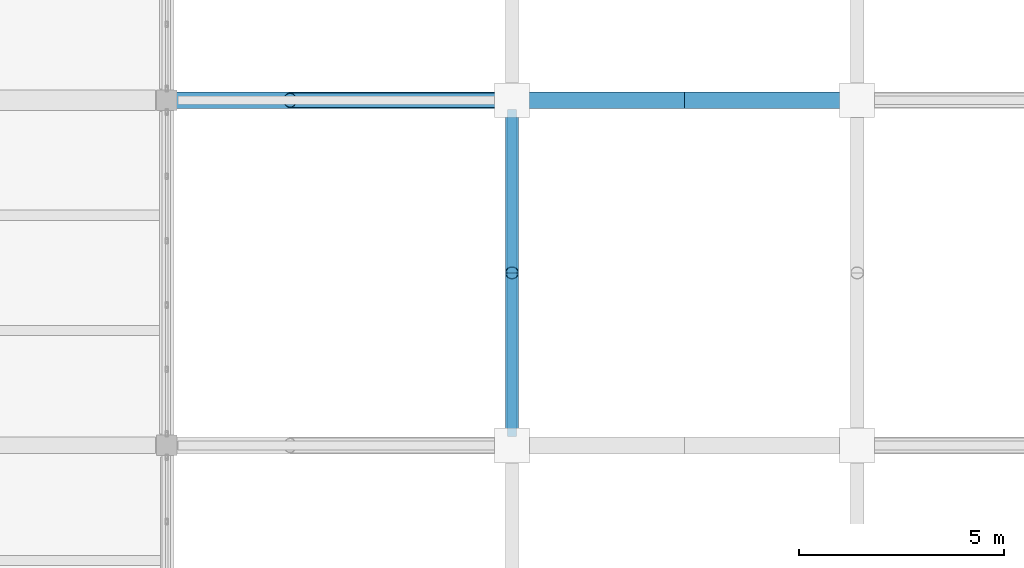
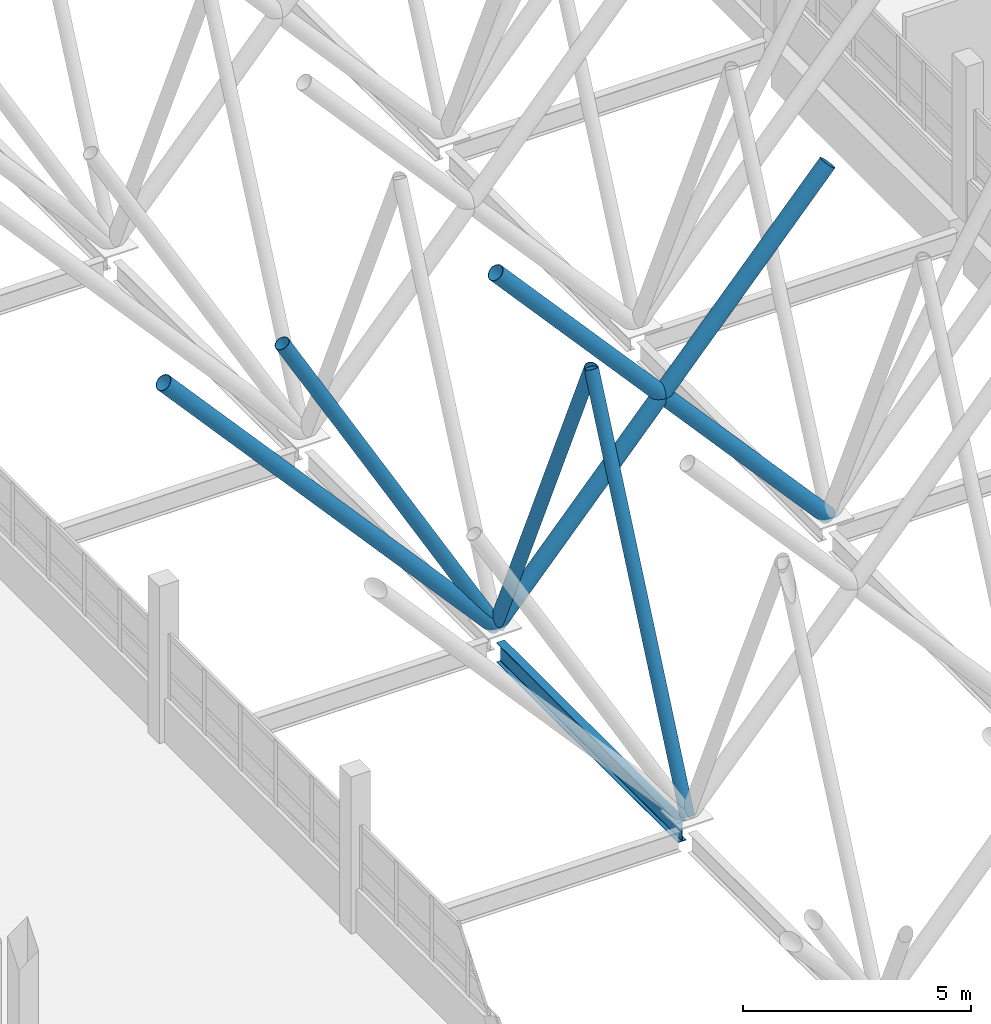
# One storey, part 18 of 107: 6 members, 1 beam.
"""IFC4 building model written with IfcOpenShell, lengths in metres."""

from ifc_helpers import new_model, si_unit, direction, frame, origin, origin_2d, place, context, subcontext, project, spatial, hollow_circle, i_section, extrude, material, material_profile, profile_set, type_object, element, save


model = new_model("IFC4")

# Units and contexts
model_context = context("Model", 3, precision=1e-05, world=origin(), true_north=direction((0.0, 1.0)))
body_context = subcontext(model_context, "Body", "Model", "MODEL_VIEW")
ifc_project = project(units=[si_unit("LENGTHUNIT", "METRE"), si_unit("AREAUNIT", "SQUARE_METRE"), si_unit("VOLUMEUNIT", "CUBIC_METRE"), si_unit("PLANEANGLEUNIT", "RADIAN"), si_unit("MASSUNIT", "GRAM", prefix="KILO")], contexts=[model_context])

# Site, building, storey
site_placement = place(None, origin())
site = spatial("IfcSite", under=ifc_project, at=site_placement, CompositionType="ELEMENT")
building_placement = place(site_placement, origin())
building = spatial("IfcBuilding", under=site, at=building_placement, Name="Vireocrest Preparatory School", CompositionType="ELEMENT")
storey_placement = place(building_placement, frame((0.0, 0.0, 13.199951171875)))
storey = spatial("IfcBuildingStorey", under=building, at=storey_placement, Name="L03", CompositionType="ELEMENT", Elevation=13.199951171875)

# Beam
ifc_material_1 = material(Name="Structural steel ASTM A992 Grade 50", Category="steel")
ifc_material_profile_1 = material_profile(ifc_material_1, i_section(OverallWidth=0.208984375, OverallDepth=0.532958984375, WebThickness=0.01025390625, FlangeThickness=0.015625, FilletRadius=0.014892578125, at=origin_2d()), Name="W21X62")
ifc_profile_set_1 = profile_set([ifc_material_profile_1], Name="Structural steel ASTM A992 Grade 50")
beam_type = type_object("IfcBeamType", Name="Court Tie Girder W21X62", PredefinedType="BEAM", material=ifc_profile_set_1)
beam_placement = place(storey_placement, frame((75.60009765625, 44.02001953125, -0.56640625), z_axis=(0.0, 1.0, 0.0), x_axis=(-1.0, 0.0, 0.0)))
element("IfcBeam", 1, at=beam_placement, inside=storey, type_object=beam_type, Name="Court Trunk Spine Girder SB5 W3 L03", PredefinedType="BEAM", context=body_context, shape_type="SweptSolid", body=[
    extrude(i_section(OverallWidth=0.208984375, OverallDepth=0.532958984375, WebThickness=0.01025390625, FlangeThickness=0.015625, FilletRadius=0.014892578125, at=origin_2d()), origin(), (0.0, 0.0, 1.0), 7.9599609375),
])

# Members
ifc_material_2 = material(Name="Painted white steel ASTM A500 Grade C", Category="steel")
ifc_material_profile_2 = material_profile(ifc_material_2, hollow_circle(Radius=0.161865234375, WallThickness=0.0126953125, at=origin_2d()), Name="HSS12.750X0.500")
ifc_profile_set_2 = profile_set([ifc_material_profile_2], Name="Painted white steel ASTM A500 Grade C")
member_type_1 = type_object("IfcMemberType", Name="White Steel Canopy Tie Strut HSS12.750X0.500", PredefinedType="USERDEFINED", material=ifc_profile_set_2)
for number, where, z_axis, x_axis, name in (
    (2, (75.60009765625, 43.800048828125, -0.0048828125), (0.0, 0.407216567456, 0.913331630455), (-1.0, 0.0, 0.0), "Longitudinal V-Strut VS2 W3-N"),
    (3, (75.60009765625, 52.199951171875, -0.0048828125), (0.0, -0.407216567456, 0.913331630455), (1.0, 0.0, 0.0), "Longitudinal V-Strut VS2 W4-S"),
):
    element("IfcMember", number, at=place(storey_placement, frame(where, z_axis=z_axis, x_axis=x_axis)), inside=storey, type_object=member_type_1, Name=name, ObjectType="STRUT", PredefinedType="USERDEFINED", context=body_context, shape_type="SweptSolid", body=[
        extrude(hollow_circle(Radius=0.161865234375, WallThickness=0.0126953125, at=origin_2d()), origin(), (0.0, 0.0, 1.0), 10.313720703125),
    ])
ifc_material_profile_3 = material_profile(ifc_material_2, hollow_circle(Radius=0.177734375, WallThickness=0.0126953125, at=origin_2d()), Name="HSS14.000X0.500")
ifc_profile_set_3 = profile_set([ifc_material_profile_3], Name="Painted white steel ASTM A500 Grade C")
member_type_2 = type_object("IfcMemberType", Name="White Steel Canopy V-Strut HSS14.000X0.500", PredefinedType="USERDEFINED", material=ifc_profile_set_3)
member_placement = place(storey_placement, frame((75.60009765625, 52.199951171875, -0.010009765625), z_axis=(-0.496934732374, 0.0, 0.867787918653), x_axis=(0.0, -1.0, 0.0)))
element("IfcMember", 4, at=member_placement, inside=storey, type_object=member_type_2, Name="White Steel V-Strut VS1 W4", ObjectType="STRUT", PredefinedType="USERDEFINED", context=body_context, shape_type="SweptSolid", body=[
    extrude(hollow_circle(Radius=0.177734375, WallThickness=0.0126953125, at=origin_2d()), origin(), (0.0, 0.0, 1.0), 10.866943359375),
])
ifc_material_profile_4 = material_profile(ifc_material_2, hollow_circle(Radius=0.203125, WallThickness=0.0126953125, at=origin_2d()), Name="HSS16.000X0.500")
ifc_profile_set_4 = profile_set([ifc_material_profile_4], Name="Painted white steel ASTM A500 Grade C")
member_type_3 = type_object("IfcMemberType", Name="White Steel V-Column Branch HSS16.000X0.500", PredefinedType="USERDEFINED", material=ifc_profile_set_4)
for number, where, z_axis, x_axis, name in (
    (5, (75.60009765625, 52.199951171875, -0.010009765625), (-0.665149409377, 0.0, 0.746710294027), (0.0, -1.0, 0.0), "White Steel V-Column Branch VC3 W4-A1"),
    (6, (75.60009765625, 52.199951171875, -0.010009765625), (0.665138630213, 0.0, 0.746719895676), (0.0, 1.0, 0.0), "White Steel V-Column Branch VC3 W4-A2"),
    (7, (84.0, 52.199951171875, -0.010009765625), (-0.665138630213, 0.0, 0.746719895676), (0.0, -1.0, 0.0), "White Steel V-Column Branch VC3 E4-A1"),
):
    element("IfcMember", number, at=place(storey_placement, frame(where, z_axis=z_axis, x_axis=x_axis)), inside=storey, type_object=member_type_3, Name=name, ObjectType="STRUT", PredefinedType="USERDEFINED", context=body_context, shape_type="SweptSolid", body=[
        extrude(hollow_circle(Radius=0.203125, WallThickness=0.0126953125, at=origin_2d()), origin(), (0.0, 0.0, 1.0), 12.62890625),
    ])

save(model, "model.ifc")
